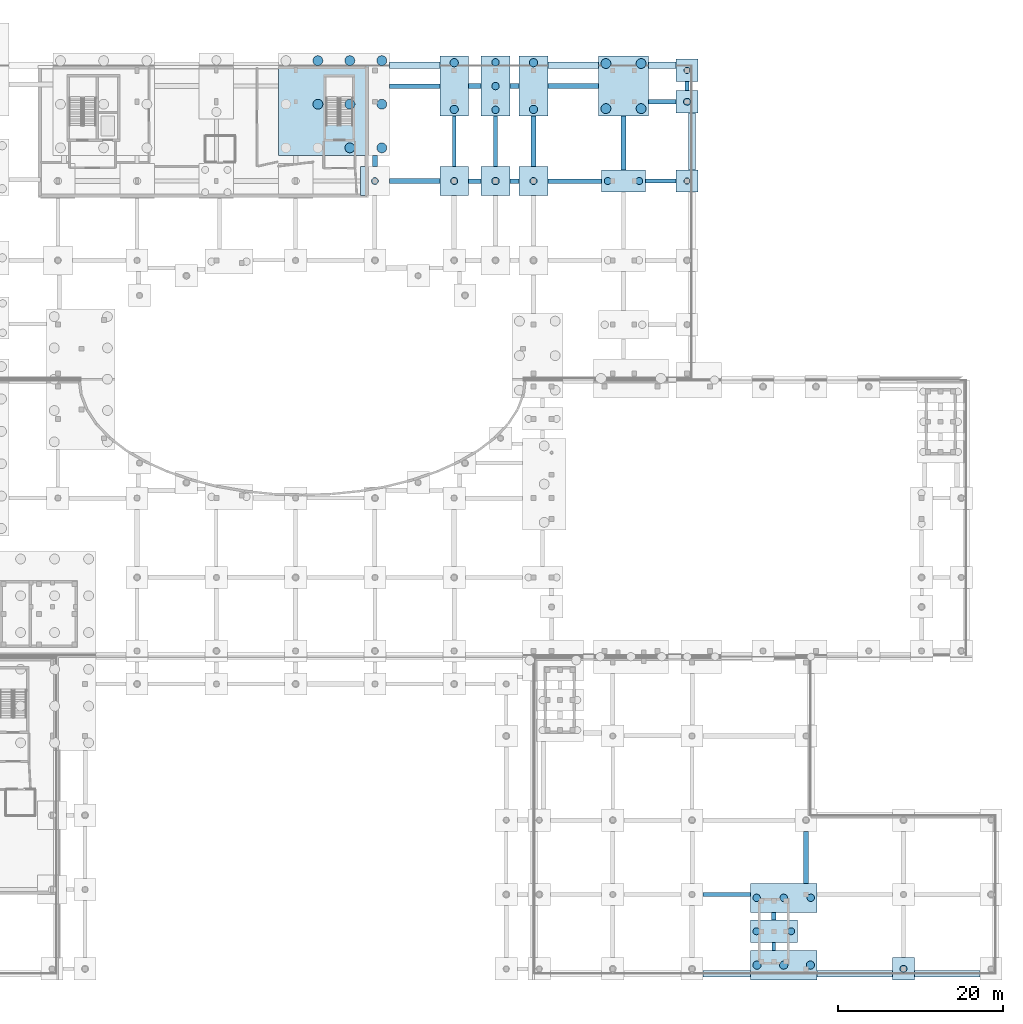
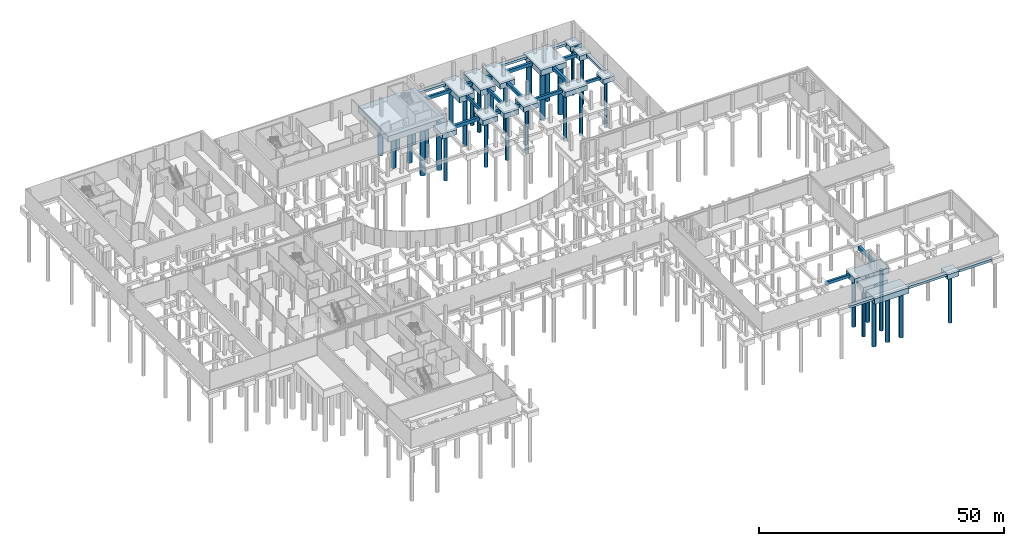
# One storey, part 9 of 40: 44 footings, 37 piles.
"""IFC4 building model written with IfcOpenShell, lengths in metres."""

from ifc_helpers import new_model, si_unit, direction, frame, origin, origin_2d, place, context, subcontext, project, spatial, polyline, circle, outline, extrude, material, material_profile, profile_set, type_object, element, save


model = new_model("IFC4")

# Units and contexts
model_context = context("Model", 3, precision=1e-05, world=origin(), true_north=direction((0.0, 1.0)))
body_context = subcontext(model_context, "Body", "Model", "MODEL_VIEW")
ifc_project = project(units=[si_unit("LENGTHUNIT", "METRE"), si_unit("AREAUNIT", "SQUARE_METRE"), si_unit("VOLUMEUNIT", "CUBIC_METRE"), si_unit("PLANEANGLEUNIT", "RADIAN"), si_unit("MASSUNIT", "GRAM", prefix="KILO")], contexts=[model_context])

# Site, building, storey
site_placement = place(None, origin())
site = spatial("IfcSite", under=ifc_project, at=site_placement, CompositionType="ELEMENT")
building_placement = place(site_placement, origin())
building = spatial("IfcBuilding", under=site, at=building_placement, Name="Mzevani Central Library", CompositionType="ELEMENT")
storey_placement = place(building_placement, frame((0.0, 0.0, -4.5)))
storey = spatial("IfcBuildingStorey", under=building, at=storey_placement, Name="B1", CompositionType="ELEMENT", Elevation=-4.5)

# Piles
ifc_material = material(Name="Concrete C40/50", Category="concrete")
ifc_material_profile_1 = material_profile(ifc_material, circle(Radius=0.5, at=origin_2d()), Name="PILE D1000")
ifc_profile_set_1 = profile_set([ifc_material_profile_1], Name="Concrete C40/50")
pile_type_1 = type_object("IfcPileType", Name="Bored Pile D1000", PredefinedType="BORED", material=ifc_profile_set_1)
for number, where, z_axis, x_axis, name in (
    (1, (102.39990234375, 108.669921875, -1.719970703125), (0.0, 0.0, -1.0), (1.0, 0.0, 0.0), "B1 Bored Pile P-04 (193)"),
    (2, (102.39990234375, 114.330078125, -1.719970703125), (0.0, 0.0, -1.0), (1.0, 0.0, 0.0), "B1 Bored Pile P-04 (194)"),
    (3, (112.0, 108.669921875, -1.719970703125), (0.0, 0.0, -1.0), (1.0, 0.0, 0.0), "B1 Bored Pile P-04 (202)"),
    (4, (112.0, 114.330078125, -1.719970703125), (0.0, 0.0, -1.0), (1.0, 0.0, 0.0), "B1 Bored Pile P-04 (203)"),
    (5, (139.070068359375, 5.050048828125, -1.719970703125), (0.0, 0.0, -1.0), (1.0, 0.0, 0.0), "B1 Bored Pile P-04 (325)"),
    (6, (142.300048828125, 5.050048828125, -1.719970703125), (0.0, 0.0, -1.0), (1.0, 0.0, 0.0), "B1 Bored Pile P-04 (326)"),
    (7, (145.530029296875, 5.050048828125, -1.719970703125), (0.0, 0.0, -1.0), (1.0, 0.0, 0.0), "B1 Bored Pile P-04 (327)"),
):
    element("IfcPile", number, at=place(storey_placement, frame(where, z_axis=z_axis, x_axis=x_axis)), inside=storey, type_object=pile_type_1, Name=name, PredefinedType="BORED", context=body_context, shape_type="SweptSolid", body=[
        extrude(circle(Radius=0.5, at=origin_2d()), origin(), (0.0, 0.0, 1.0), 11.780029296875),
    ])
ifc_material_profile_2 = material_profile(ifc_material, circle(Radius=0.60009765625, at=origin_2d()), Name="PILE D1200")
ifc_profile_set_2 = profile_set([ifc_material_profile_2], Name="Concrete C40/50")
pile_type_2 = type_object("IfcPileType", Name="Bored Pile D1200", PredefinedType="BORED", material=ifc_profile_set_2)
for number, where, z_axis, x_axis, name in (
    (8, (85.889892578125, 109.300048828125, -1.820068359375), (0.0, 0.0, -1.0), (1.0, 0.0, 0.0), "B1 Bored Pile P-06 (181)"),
    (9, (85.889892578125, 114.580078125, -1.820068359375), (0.0, 0.0, -1.0), (1.0, 0.0, 0.0), "B1 Bored Pile P-06 (182)"),
    (10, (89.760009765625, 104.02001953125, -1.820068359375), (0.0, 0.0, -1.0), (1.0, 0.0, 0.0), "B1 Bored Pile P-06 (183)"),
    (11, (89.760009765625, 109.300048828125, -1.820068359375), (0.0, 0.0, -1.0), (1.0, 0.0, 0.0), "B1 Bored Pile P-06 (184)"),
    (12, (89.760009765625, 114.580078125, -1.820068359375), (0.0, 0.0, -1.0), (1.0, 0.0, 0.0), "B1 Bored Pile P-06 (185)"),
    (13, (93.6298828125, 104.02001953125, -1.820068359375), (0.0, 0.0, -1.0), (1.0, 0.0, 0.0), "B1 Bored Pile P-06 (186)"),
    (14, (93.6298828125, 109.300048828125, -1.820068359375), (0.0, 0.0, -1.0), (1.0, 0.0, 0.0), "B1 Bored Pile P-06 (187)"),
    (15, (93.6298828125, 114.580078125, -1.820068359375), (0.0, 0.0, -1.0), (1.0, 0.0, 0.0), "B1 Bored Pile P-06 (188)"),
):
    element("IfcPile", number, at=place(storey_placement, frame(where, z_axis=z_axis, x_axis=x_axis)), inside=storey, type_object=pile_type_2, Name=name, PredefinedType="BORED", context=body_context, shape_type="SweptSolid", body=[
        extrude(circle(Radius=0.60009765625, at=origin_2d()), origin(), (0.0, 0.0, 1.0), 11.679931640625),
    ])
for number, where, z_axis, x_axis, name in (
    (16, (120.77001953125, 108.77001953125, -1.719970703125), (0.0, 0.0, -1.0), (1.0, 0.0, 0.0), "B1 Bored Pile P-06 (210)"),
    (17, (120.77001953125, 114.22998046875, -1.719970703125), (0.0, 0.0, -1.0), (1.0, 0.0, 0.0), "B1 Bored Pile P-06 (211)"),
    (18, (125.030029296875, 108.77001953125, -1.719970703125), (0.0, 0.0, -1.0), (1.0, 0.0, 0.0), "B1 Bored Pile P-06 (212)"),
    (19, (125.030029296875, 114.22998046875, -1.719970703125), (0.0, 0.0, -1.0), (1.0, 0.0, 0.0), "B1 Bored Pile P-06 (213)"),
):
    element("IfcPile", number, at=place(storey_placement, frame(where, z_axis=z_axis, x_axis=x_axis)), inside=storey, type_object=pile_type_2, Name=name, PredefinedType="BORED", context=body_context, shape_type="SweptSolid", body=[
        extrude(circle(Radius=0.60009765625, at=origin_2d()), origin(), (0.0, 0.0, 1.0), 11.780029296875),
    ])
ifc_material_profile_3 = material_profile(ifc_material, circle(Radius=0.375, at=origin_2d()), Name="PILE D750")
ifc_profile_set_3 = profile_set([ifc_material_profile_3], Name="Concrete C40/50")
pile_type_3 = type_object("IfcPileType", Name="Bored Pile D750", PredefinedType="BORED", material=ifc_profile_set_3)
for number, where, z_axis, x_axis, name in (
    (20, (130.60009765625, 100.0, -1.52001953125), (0.0, 0.0, -1.0), (1.0, 0.0, 0.0), "B1 Bored Pile P-01 (216)"),
    (21, (130.60009765625, 113.39990234375, -1.52001953125), (0.0, 0.0, -1.0), (1.0, 0.0, 0.0), "B1 Bored Pile P-01 (218)"),
):
    element("IfcPile", number, at=place(storey_placement, frame(where, z_axis=z_axis, x_axis=x_axis)), inside=storey, type_object=pile_type_3, Name=name, PredefinedType="BORED", context=body_context, shape_type="SweptSolid", body=[
        extrude(circle(Radius=0.375, at=origin_2d()), origin(), (0.0, 0.0, 1.0), 11.97998046875),
    ])
ifc_material_profile_4 = material_profile(ifc_material, circle(Radius=0.425048828125, at=origin_2d()), Name="PILE D850")
ifc_profile_set_4 = profile_set([ifc_material_profile_4], Name="Concrete C40/50")
pile_type_4 = type_object("IfcPileType", Name="Bored Pile D850", PredefinedType="BORED", material=ifc_profile_set_4)
for number, where, z_axis, x_axis, name in (
    (22, (92.800048828125, 100.0, -1.6201171875), (0.0, 0.0, -1.0), (1.0, 0.0, 0.0), "B1 Bored Pile P-02 (190)"),
    (23, (102.39990234375, 100.0, -1.6201171875), (0.0, 0.0, -1.0), (1.0, 0.0, 0.0), "B1 Bored Pile P-02 (192)"),
    (24, (112.0, 100.0, -1.6201171875), (0.0, 0.0, -1.0), (1.0, 0.0, 0.0), "B1 Bored Pile P-02 (201)"),
    (25, (120.9951171875, 100.0, -1.6201171875), (0.0, 0.0, -1.0), (1.0, 0.0, 0.0), "B1 Bored Pile P-02 (208)"),
    (26, (124.804931640625, 100.0, -1.6201171875), (0.0, 0.0, -1.0), (1.0, 0.0, 0.0), "B1 Bored Pile P-02 (209)"),
):
    element("IfcPile", number, at=place(storey_placement, frame(where, z_axis=z_axis, x_axis=x_axis)), inside=storey, type_object=pile_type_4, Name=name, PredefinedType="BORED", context=body_context, shape_type="SweptSolid", body=[
        extrude(circle(Radius=0.425048828125, at=origin_2d()), origin(), (0.0, 0.0, 1.0), 11.8798828125),
    ])
for number, where, z_axis, x_axis, name in (
    (27, (130.60009765625, 109.60009765625, -1.52001953125), (0.0, 0.0, -1.0), (1.0, 0.0, 0.0), "B1 Bored Pile P-02 (217)"),
    (28, (156.800048828125, 4.60009765625, -1.52001953125), (0.0, 0.0, -1.0), (1.0, 0.0, 0.0), "B1 Bored Pile P-02 (333)"),
):
    element("IfcPile", number, at=place(storey_placement, frame(where, z_axis=z_axis, x_axis=x_axis)), inside=storey, type_object=pile_type_4, Name=name, PredefinedType="BORED", context=body_context, shape_type="SweptSolid", body=[
        extrude(circle(Radius=0.425048828125, at=origin_2d()), origin(), (0.0, 0.0, 1.0), 11.97998046875),
    ])
for number, where, z_axis, x_axis, name in (
    (29, (138.9951171875, 9.14990234375, -1.6201171875), (0.0, 0.0, -1.0), (1.0, 0.0, 0.0), "B1 Bored Pile P-02 (371)"),
    (30, (143.205078125, 9.14990234375, -1.6201171875), (0.0, 0.0, -1.0), (1.0, 0.0, 0.0), "B1 Bored Pile P-02 (372)"),
):
    element("IfcPile", number, at=place(storey_placement, frame(where, z_axis=z_axis, x_axis=x_axis)), inside=storey, type_object=pile_type_4, Name=name, PredefinedType="BORED", context=body_context, shape_type="SweptSolid", body=[
        extrude(circle(Radius=0.425048828125, at=origin_2d()), origin(), (0.0, 0.0, 1.0), 11.8798828125),
    ])
ifc_material_profile_5 = material_profile(ifc_material, circle(Radius=0.449951171875, at=origin_2d()), Name="PILE D900")
ifc_profile_set_5 = profile_set([ifc_material_profile_5], Name="Concrete C40/50")
pile_type_5 = type_object("IfcPileType", Name="Bored Pile D900", PredefinedType="BORED", material=ifc_profile_set_5)
pile_placement = place(storey_placement, frame((107.39990234375, 100.0, -1.6201171875), z_axis=(0.0, 0.0, -1.0), x_axis=(1.0, 0.0, 0.0)))
element("IfcPile", 31, at=pile_placement, inside=storey, type_object=pile_type_5, Name="B1 Bored Pile P-03 (196)", PredefinedType="BORED", context=body_context, shape_type="SweptSolid", body=[
    extrude(circle(Radius=0.449951171875, at=origin_2d()), origin(), (0.0, 0.0, 1.0), 11.8798828125),
])
for number, where, z_axis, x_axis, name in (
    (32, (107.39990234375, 108.6201171875, -1.719970703125), (0.0, 0.0, -1.0), (1.0, 0.0, 0.0), "B1 Bored Pile P-03 (197)"),
    (33, (107.39990234375, 111.5, -1.719970703125), (0.0, 0.0, -1.0), (1.0, 0.0, 0.0), "B1 Bored Pile P-03 (198)"),
    (34, (107.39990234375, 114.3798828125, -1.719970703125), (0.0, 0.0, -1.0), (1.0, 0.0, 0.0), "B1 Bored Pile P-03 (199)"),
    (35, (139.02001953125, 13.199951171875, -1.719970703125), (0.0, 0.0, -1.0), (1.0, 0.0, 0.0), "B1 Bored Pile P-03 (328)"),
    (36, (142.300048828125, 13.199951171875, -1.719970703125), (0.0, 0.0, -1.0), (1.0, 0.0, 0.0), "B1 Bored Pile P-03 (329)"),
    (37, (145.580078125, 13.199951171875, -1.719970703125), (0.0, 0.0, -1.0), (1.0, 0.0, 0.0), "B1 Bored Pile P-03 (330)"),
):
    element("IfcPile", number, at=place(storey_placement, frame(where, z_axis=z_axis, x_axis=x_axis)), inside=storey, type_object=pile_type_5, Name=name, PredefinedType="BORED", context=body_context, shape_type="SweptSolid", body=[
        extrude(circle(Radius=0.449951171875, at=origin_2d()), origin(), (0.0, 0.0, 1.0), 11.780029296875),
    ])

# Footings
footing_type_1 = type_object("IfcFootingType", Name="Ground Tie Beam RC 450x700", PredefinedType="FOOTING_BEAM", material=ifc_material)
footing_1_placement = place(storey_placement, frame((0.0, 0.0, -1.1201171875)))
element("IfcFooting", 38, at=footing_1_placement, inside=storey, type_object=footing_type_1, Name="MAT Ground Tie Beam GB-01 (105)", PredefinedType="FOOTING_BEAM", context=body_context, shape_type="SweptSolid", body=[
    extrude(outline(polyline([(125.550048828125, 99.77490234375), (129.25, 99.77490234375), (129.25, 100.22509765625), (125.550048828125, 100.22509765625), (125.550048828125, 99.77490234375)])), origin(), (0.0, 0.0, 1.0), 0.7001953125),
])
footing_2_placement = place(storey_placement, frame((0.0, 0.0, -1.1201171875)))
element("IfcFooting", 39, at=footing_2_placement, inside=storey, type_object=footing_type_1, Name="MAT Ground Tie Beam GB-01 (121)", PredefinedType="FOOTING_BEAM", context=body_context, shape_type="SweptSolid", body=[
    extrude(outline(polyline([(140.875, 6.85009765625), (141.324951171875, 6.85009765625), (141.324951171875, 7.800048828125), (140.875, 7.800048828125), (140.875, 6.85009765625)])), origin(), (0.0, 0.0, 1.0), 0.7001953125),
])
footing_3_placement = place(storey_placement, frame((0.0, 0.0, -1.1201171875)))
element("IfcFooting", 40, at=footing_3_placement, inside=storey, type_object=footing_type_1, Name="MAT Ground Tie Beam GB-01 (217)", PredefinedType="FOOTING_BEAM", context=body_context, shape_type="SweptSolid", body=[
    extrude(outline(polyline([(102.175048828125, 101.75), (102.625, 101.75), (102.625, 107.85009765625), (102.175048828125, 107.85009765625), (102.175048828125, 101.75)])), origin(), (0.0, 0.0, 1.0), 0.7001953125),
])
footing_4_placement = place(storey_placement, frame((0.0, 0.0, -1.1201171875)))
element("IfcFooting", 41, at=footing_4_placement, inside=storey, type_object=footing_type_1, Name="MAT Ground Tie Beam GB-01 (221)", PredefinedType="FOOTING_BEAM", context=body_context, shape_type="SweptSolid", body=[
    extrude(outline(polyline([(130.375, 110.949951171875), (130.824951171875, 110.949951171875), (130.824951171875, 112.050048828125), (130.375, 112.050048828125), (130.375, 110.949951171875)])), origin(), (0.0, 0.0, 1.0), 0.7001953125),
])
footing_type_2 = type_object("IfcFootingType", Name="Ground Tie Beam RC 500x750", PredefinedType="FOOTING_BEAM", material=ifc_material)
footing_5_placement = place(storey_placement, frame((0.0, 0.0, -1.169921875)))
element("IfcFooting", 42, at=footing_5_placement, inside=storey, type_object=footing_type_2, Name="MAT Ground Tie Beam GB-02 (106)", PredefinedType="FOOTING_BEAM", context=body_context, shape_type="SweptSolid", body=[
    extrude(outline(polyline([(132.550048828125, 13.35009765625), (138.25, 13.35009765625), (138.25, 13.85009765625), (132.550048828125, 13.85009765625), (132.550048828125, 13.35009765625)])), origin(), (0.0, 0.0, 1.0), 0.75),
])
footing_6_placement = place(storey_placement, frame((0.0, 0.0, -1.169921875)))
element("IfcFooting", 43, at=footing_6_placement, inside=storey, type_object=footing_type_2, Name="MAT Ground Tie Beam GB-02 (218)", PredefinedType="FOOTING_BEAM", context=body_context, shape_type="SweptSolid", body=[
    extrude(outline(polyline([(107.14990234375, 101.75), (107.64990234375, 101.75), (107.64990234375, 107.85009765625), (107.14990234375, 107.85009765625), (107.14990234375, 101.75)])), origin(), (0.0, 0.0, 1.0), 0.75),
])
footing_type_3 = type_object("IfcFootingType", Name="Ground Tie Beam RC 550x800", PredefinedType="FOOTING_BEAM", material=ifc_material)
footing_7_placement = place(storey_placement, frame((0.0, 0.0, -1.219970703125)))
element("IfcFooting", 44, at=footing_7_placement, inside=storey, type_object=footing_type_3, Name="MAT Ground Tie Beam GB-03 (63)", PredefinedType="FOOTING_BEAM", context=body_context, shape_type="SweptSolid", body=[
    extrude(outline(polyline([(94.550048828125, 111.22509765625), (100.64990234375, 111.22509765625), (100.64990234375, 111.77490234375), (94.550048828125, 111.77490234375), (94.550048828125, 111.22509765625)])), origin(), (0.0, 0.0, 1.0), 0.800048828125),
])
footing_8_placement = place(storey_placement, frame((0.0, 0.0, -1.219970703125)))
element("IfcFooting", 45, at=footing_8_placement, inside=storey, type_object=footing_type_3, Name="MAT Ground Tie Beam GB-03 (75)", PredefinedType="FOOTING_BEAM", context=body_context, shape_type="SweptSolid", body=[
    extrude(outline(polyline([(104.14990234375, 99.72509765625), (105.64990234375, 99.72509765625), (105.64990234375, 100.27490234375), (104.14990234375, 100.27490234375), (104.14990234375, 99.72509765625)])), origin(), (0.0, 0.0, 1.0), 0.800048828125),
])
footing_9_placement = place(storey_placement, frame((0.0, 0.0, -1.219970703125)))
element("IfcFooting", 46, at=footing_9_placement, inside=storey, type_object=footing_type_3, Name="MAT Ground Tie Beam GB-03 (83)", PredefinedType="FOOTING_BEAM", context=body_context, shape_type="SweptSolid", body=[
    extrude(outline(polyline([(109.14990234375, 99.72509765625), (110.25, 99.72509765625), (110.25, 100.27490234375), (109.14990234375, 100.27490234375), (109.14990234375, 99.72509765625)])), origin(), (0.0, 0.0, 1.0), 0.800048828125),
])
footing_10_placement = place(storey_placement, frame((0.0, 0.0, -1.219970703125)))
element("IfcFooting", 47, at=footing_10_placement, inside=storey, type_object=footing_type_3, Name="MAT Ground Tie Beam GB-03 (91)", PredefinedType="FOOTING_BEAM", context=body_context, shape_type="SweptSolid", body=[
    extrude(outline(polyline([(113.75, 99.72509765625), (120.25, 99.72509765625), (120.25, 100.27490234375), (113.75, 100.27490234375), (113.75, 99.72509765625)])), origin(), (0.0, 0.0, 1.0), 0.800048828125),
])
footing_11_placement = place(storey_placement, frame((0.0, 0.0, -1.219970703125)))
element("IfcFooting", 48, at=footing_11_placement, inside=storey, type_object=footing_type_3, Name="MAT Ground Tie Beam GB-03 (123)", PredefinedType="FOOTING_BEAM", context=body_context, shape_type="SweptSolid", body=[
    extrude(outline(polyline([(140.824951171875, 10.5), (141.375, 10.5), (141.375, 11.449951171875), (140.824951171875, 11.449951171875), (140.824951171875, 10.5)])), origin(), (0.0, 0.0, 1.0), 0.800048828125),
])
footing_12_placement = place(storey_placement, frame((0.0, 0.0, -1.219970703125)))
element("IfcFooting", 49, at=footing_12_placement, inside=storey, type_object=footing_type_3, Name="MAT Ground Tie Beam GB-03 (219)", PredefinedType="FOOTING_BEAM", context=body_context, shape_type="SweptSolid", body=[
    extrude(outline(polyline([(111.72509765625, 101.75), (112.27490234375, 101.75), (112.27490234375, 107.85009765625), (111.72509765625, 107.85009765625), (111.72509765625, 101.75)])), origin(), (0.0, 0.0, 1.0), 0.800048828125),
])
footing_type_4 = type_object("IfcFootingType", Name="Ground Tie Beam RC 600x850", PredefinedType="FOOTING_BEAM", material=ifc_material)
footing_13_placement = place(storey_placement, frame((0.0, 0.0, -1.27001953125)))
element("IfcFooting", 50, at=footing_13_placement, inside=storey, type_object=footing_type_4, Name="MAT Ground Tie Beam GB-04 (68)", PredefinedType="FOOTING_BEAM", context=body_context, shape_type="SweptSolid", body=[
    extrude(outline(polyline([(94.550048828125, 99.699951171875), (100.64990234375, 99.699951171875), (100.64990234375, 100.300048828125), (94.550048828125, 100.300048828125), (94.550048828125, 99.699951171875)])), origin(), (0.0, 0.0, 1.0), 0.85009765625),
])
footing_14_placement = place(storey_placement, frame((0.0, 0.0, -1.27001953125)))
element("IfcFooting", 51, at=footing_14_placement, inside=storey, type_object=footing_type_4, Name="MAT Ground Tie Beam GB-04 (76)", PredefinedType="FOOTING_BEAM", context=body_context, shape_type="SweptSolid", body=[
    extrude(outline(polyline([(104.14990234375, 111.199951171875), (105.64990234375, 111.199951171875), (105.64990234375, 111.800048828125), (104.14990234375, 111.800048828125), (104.14990234375, 111.199951171875)])), origin(), (0.0, 0.0, 1.0), 0.85009765625),
])
footing_15_placement = place(storey_placement, frame((0.0, 0.0, -1.27001953125)))
element("IfcFooting", 52, at=footing_15_placement, inside=storey, type_object=footing_type_4, Name="MAT Ground Tie Beam GB-04 (84)", PredefinedType="FOOTING_BEAM", context=body_context, shape_type="SweptSolid", body=[
    extrude(outline(polyline([(109.14990234375, 111.199951171875), (110.25, 111.199951171875), (110.25, 111.800048828125), (109.14990234375, 111.800048828125), (109.14990234375, 111.199951171875)])), origin(), (0.0, 0.0, 1.0), 0.85009765625),
])
footing_16_placement = place(storey_placement, frame((0.0, 0.0, -1.27001953125)))
element("IfcFooting", 53, at=footing_16_placement, inside=storey, type_object=footing_type_4, Name="MAT Ground Tie Beam GB-04 (92)", PredefinedType="FOOTING_BEAM", context=body_context, shape_type="SweptSolid", body=[
    extrude(outline(polyline([(113.75, 111.199951171875), (119.85009765625, 111.199951171875), (119.85009765625, 111.800048828125), (113.75, 111.800048828125), (113.75, 111.199951171875)])), origin(), (0.0, 0.0, 1.0), 0.85009765625),
])
footing_17_placement = place(storey_placement, frame((0.0, 0.0, -1.27001953125)))
element("IfcFooting", 54, at=footing_17_placement, inside=storey, type_object=footing_type_4, Name="MAT Ground Tie Beam GB-04 (100)", PredefinedType="FOOTING_BEAM", context=body_context, shape_type="SweptSolid", body=[
    extrude(outline(polyline([(125.949951171875, 109.300048828125), (129.25, 109.300048828125), (129.25, 109.89990234375), (125.949951171875, 109.89990234375), (125.949951171875, 109.300048828125)])), origin(), (0.0, 0.0, 1.0), 0.85009765625),
])
footing_18_placement = place(storey_placement, frame((0.0, 0.0, -1.27001953125)))
element("IfcFooting", 55, at=footing_18_placement, inside=storey, type_object=footing_type_4, Name="MAT Ground Tie Beam GB-04 (124)", PredefinedType="FOOTING_BEAM", context=body_context, shape_type="SweptSolid", body=[
    extrude(outline(polyline([(144.699951171875, 14.949951171875), (145.300048828125, 14.949951171875), (145.300048828125, 21.25), (144.699951171875, 21.25), (144.699951171875, 14.949951171875)])), origin(), (0.0, 0.0, 1.0), 0.85009765625),
])
footing_19_placement = place(storey_placement, frame((0.0, 0.0, -1.27001953125)))
element("IfcFooting", 56, at=footing_19_placement, inside=storey, type_object=footing_type_4, Name="MAT Ground Tie Beam GB-04 (216)", PredefinedType="FOOTING_BEAM", context=body_context, shape_type="SweptSolid", body=[
    extrude(outline(polyline([(92.5, 101.75), (93.10009765625, 101.75), (93.10009765625, 103.10009765625), (92.5, 103.10009765625), (92.5, 101.75)])), origin(), (0.0, 0.0, 1.0), 0.85009765625),
])
footing_20_placement = place(storey_placement, frame((0.0, 0.0, -1.27001953125)))
element("IfcFooting", 57, at=footing_20_placement, inside=storey, type_object=footing_type_4, Name="MAT Ground Tie Beam GB-04 (220)", PredefinedType="FOOTING_BEAM", context=body_context, shape_type="SweptSolid", body=[
    extrude(outline(polyline([(122.60009765625, 101.35009765625), (123.199951171875, 101.35009765625), (123.199951171875, 107.85009765625), (122.60009765625, 107.85009765625), (122.60009765625, 101.35009765625)])), origin(), (0.0, 0.0, 1.0), 0.85009765625),
])
footing_type_5 = type_object("IfcFootingType", Name="Perimeter Strip Footing RC 800x600", PredefinedType="STRIP_FOOTING", material=ifc_material)
footing_21_placement = place(storey_placement, frame((0.0, 0.0, -1.02001953125)))
element("IfcFooting", 58, at=footing_21_placement, inside=storey, type_object=footing_type_5, Name="B1 Perimeter Strip Footing SF-01 (35)", PredefinedType="STRIP_FOOTING", context=body_context, shape_type="SweptSolid", body=[
    extrude(outline(polyline([(125.949951171875, 114.39990234375), (129.25, 114.39990234375), (129.25, 113.60009765625), (125.949951171875, 113.60009765625), (125.949951171875, 114.39990234375)])), origin(), (0.0, 0.0, 1.0), 0.60009765625),
])
footing_22_placement = place(storey_placement, frame((0.0, 0.0, -1.02001953125)))
element("IfcFooting", 59, at=footing_22_placement, inside=storey, type_object=footing_type_5, Name="B1 Perimeter Strip Footing SF-01 (36)", PredefinedType="STRIP_FOOTING", context=body_context, shape_type="SweptSolid", body=[
    extrude(outline(polyline([(113.75, 114.39990234375), (119.85009765625, 114.39990234375), (119.85009765625, 113.60009765625), (113.75, 113.60009765625), (113.75, 114.39990234375)])), origin(), (0.0, 0.0, 1.0), 0.60009765625),
])
footing_23_placement = place(storey_placement, frame((0.0, 0.0, -1.02001953125)))
element("IfcFooting", 60, at=footing_23_placement, inside=storey, type_object=footing_type_5, Name="B1 Perimeter Strip Footing SF-01 (37)", PredefinedType="STRIP_FOOTING", context=body_context, shape_type="SweptSolid", body=[
    extrude(outline(polyline([(94.550048828125, 114.39990234375), (100.64990234375, 114.39990234375), (100.64990234375, 113.60009765625), (94.550048828125, 113.60009765625), (94.550048828125, 114.39990234375)])), origin(), (0.0, 0.0, 1.0), 0.60009765625),
])
footing_24_placement = place(storey_placement, frame((0.0, 0.0, -1.02001953125)))
element("IfcFooting", 61, at=footing_24_placement, inside=storey, type_object=footing_type_5, Name="B1 Perimeter Strip Footing SF-01 (44)", PredefinedType="STRIP_FOOTING", context=body_context, shape_type="SweptSolid", body=[
    extrude(outline(polyline([(131.60009765625, 108.25), (131.60009765625, 101.35009765625), (130.800048828125, 101.35009765625), (130.800048828125, 108.25), (131.60009765625, 108.25)])), origin(), (0.0, 0.0, 1.0), 0.60009765625),
])
footing_25_placement = place(storey_placement, frame((0.0, 0.0, -1.02001953125)))
element("IfcFooting", 62, at=footing_25_placement, inside=storey, type_object=footing_type_5, Name="B1 Perimeter Strip Footing SF-01 (63)", PredefinedType="STRIP_FOOTING", context=body_context, shape_type="SweptSolid", body=[
    extrude(outline(polyline([(138.25, 3.60009765625), (132.550048828125, 3.60009765625), (132.550048828125, 4.39990234375), (138.25, 4.39990234375), (138.25, 3.60009765625)])), origin(), (0.0, 0.0, 1.0), 0.60009765625),
])
footing_26_placement = place(storey_placement, frame((0.0, 0.0, -1.02001953125)))
element("IfcFooting", 63, at=footing_26_placement, inside=storey, type_object=footing_type_5, Name="B1 Perimeter Strip Footing SF-01 (64)", PredefinedType="STRIP_FOOTING", context=body_context, shape_type="SweptSolid", body=[
    extrude(outline(polyline([(155.449951171875, 3.60009765625), (146.35009765625, 3.60009765625), (146.35009765625, 4.39990234375), (155.449951171875, 4.39990234375), (155.449951171875, 3.60009765625)])), origin(), (0.0, 0.0, 1.0), 0.60009765625),
])
footing_27_placement = place(storey_placement, frame((0.0, 0.0, -1.02001953125)))
element("IfcFooting", 64, at=footing_27_placement, inside=storey, type_object=footing_type_5, Name="B1 Perimeter Strip Footing SF-01 (65)", PredefinedType="STRIP_FOOTING", context=body_context, shape_type="SweptSolid", body=[
    extrude(outline(polyline([(166.050048828125, 3.60009765625), (158.14990234375, 3.60009765625), (158.14990234375, 4.39990234375), (166.050048828125, 4.39990234375), (166.050048828125, 3.60009765625)])), origin(), (0.0, 0.0, 1.0), 0.60009765625),
])
footing_type_6 = type_object("IfcFootingType", Name="Pile Cap RC 13450x12400x1500", PredefinedType="PILE_CAP", material=ifc_material)
footing_28_placement = place(storey_placement, frame((0.0, 0.0, -1.919921875)))
element("IfcFooting", 65, at=footing_28_placement, inside=storey, type_object=footing_type_6, Name="B1 Pile Cap PC-29 (82)", PredefinedType="PILE_CAP", context=body_context, shape_type="SweptSolid", body=[
    extrude(outline(polyline([(81.10009765625, 103.10009765625), (94.550048828125, 103.10009765625), (94.550048828125, 115.5), (81.10009765625, 115.5), (81.10009765625, 103.10009765625)])), origin(), (0.0, 0.0, 1.0), 1.5),
])
footing_type_7 = type_object("IfcFootingType", Name="Pile Cap RC 2700x2700x1200", PredefinedType="PILE_CAP", material=ifc_material)
footing_29_placement = place(storey_placement, frame((0.0, 0.0, -1.6201171875)))
element("IfcFooting", 66, at=footing_29_placement, inside=storey, type_object=footing_type_7, Name="B1 Pile Cap PC-02 (100)", PredefinedType="PILE_CAP", context=body_context, shape_type="SweptSolid", body=[
    extrude(outline(polyline([(129.25, 98.64990234375), (131.949951171875, 98.64990234375), (131.949951171875, 101.35009765625), (129.25, 101.35009765625), (129.25, 98.64990234375)])), origin(), (0.0, 0.0, 1.0), 1.2001953125),
])
footing_30_placement = place(storey_placement, frame((0.0, 0.0, -1.6201171875)))
element("IfcFooting", 67, at=footing_30_placement, inside=storey, type_object=footing_type_7, Name="B1 Pile Cap PC-02 (101)", PredefinedType="PILE_CAP", context=body_context, shape_type="SweptSolid", body=[
    extrude(outline(polyline([(129.25, 108.25), (131.949951171875, 108.25), (131.949951171875, 110.949951171875), (129.25, 110.949951171875), (129.25, 108.25)])), origin(), (0.0, 0.0, 1.0), 1.2001953125),
])
footing_31_placement = place(storey_placement, frame((0.0, 0.0, -1.6201171875)))
element("IfcFooting", 68, at=footing_31_placement, inside=storey, type_object=footing_type_7, Name="B1 Pile Cap PC-02 (102)", PredefinedType="PILE_CAP", context=body_context, shape_type="SweptSolid", body=[
    extrude(outline(polyline([(129.25, 112.050048828125), (131.949951171875, 112.050048828125), (131.949951171875, 114.75), (129.25, 114.75), (129.25, 112.050048828125)])), origin(), (0.0, 0.0, 1.0), 1.2001953125),
])
footing_32_placement = place(storey_placement, frame((0.0, 0.0, -1.6201171875)))
element("IfcFooting", 69, at=footing_32_placement, inside=storey, type_object=footing_type_7, Name="B1 Pile Cap PC-02 (145)", PredefinedType="PILE_CAP", context=body_context, shape_type="SweptSolid", body=[
    extrude(outline(polyline([(155.449951171875, 3.25), (158.14990234375, 3.25), (158.14990234375, 5.949951171875), (155.449951171875, 5.949951171875), (155.449951171875, 3.25)])), origin(), (0.0, 0.0, 1.0), 1.2001953125),
])
footing_type_8 = type_object("IfcFootingType", Name="Pile Cap RC 3500x3500x1300", PredefinedType="PILE_CAP", material=ifc_material)
footing_33_placement = place(storey_placement, frame((0.0, 0.0, -1.719970703125)))
element("IfcFooting", 70, at=footing_33_placement, inside=storey, type_object=footing_type_8, Name="B1 Pile Cap PC-26 (84)", PredefinedType="PILE_CAP", context=body_context, shape_type="SweptSolid", body=[
    extrude(outline(polyline([(91.050048828125, 98.25), (94.550048828125, 98.25), (94.550048828125, 101.75), (91.050048828125, 101.75), (91.050048828125, 98.25)])), origin(), (0.0, 0.0, 1.0), 1.300048828125),
])
footing_34_placement = place(storey_placement, frame((0.0, 0.0, -1.719970703125)))
element("IfcFooting", 71, at=footing_34_placement, inside=storey, type_object=footing_type_8, Name="B1 Pile Cap PC-26 (86)", PredefinedType="PILE_CAP", context=body_context, shape_type="SweptSolid", body=[
    extrude(outline(polyline([(100.64990234375, 98.25), (104.14990234375, 98.25), (104.14990234375, 101.75), (100.64990234375, 101.75), (100.64990234375, 98.25)])), origin(), (0.0, 0.0, 1.0), 1.300048828125),
])
footing_35_placement = place(storey_placement, frame((0.0, 0.0, -1.719970703125)))
element("IfcFooting", 72, at=footing_35_placement, inside=storey, type_object=footing_type_8, Name="B1 Pile Cap PC-26 (89)", PredefinedType="PILE_CAP", context=body_context, shape_type="SweptSolid", body=[
    extrude(outline(polyline([(105.64990234375, 98.25), (109.14990234375, 98.25), (109.14990234375, 101.75), (105.64990234375, 101.75), (105.64990234375, 98.25)])), origin(), (0.0, 0.0, 1.0), 1.300048828125),
])
footing_36_placement = place(storey_placement, frame((0.0, 0.0, -1.719970703125)))
element("IfcFooting", 73, at=footing_36_placement, inside=storey, type_object=footing_type_8, Name="B1 Pile Cap PC-26 (92)", PredefinedType="PILE_CAP", context=body_context, shape_type="SweptSolid", body=[
    extrude(outline(polyline([(110.25, 98.25), (113.75, 98.25), (113.75, 101.75), (110.25, 101.75), (110.25, 98.25)])), origin(), (0.0, 0.0, 1.0), 1.300048828125),
])
footing_type_9 = type_object("IfcFootingType", Name="Pile Cap RC 5300x2700x1300", PredefinedType="PILE_CAP", material=ifc_material)
footing_37_placement = place(storey_placement, frame((0.0, 0.0, -1.719970703125)))
element("IfcFooting", 74, at=footing_37_placement, inside=storey, type_object=footing_type_9, Name="B1 Pile Cap PC-32 (96)", PredefinedType="PILE_CAP", context=body_context, shape_type="SweptSolid", body=[
    extrude(outline(polyline([(120.25, 98.64990234375), (125.550048828125, 98.64990234375), (125.550048828125, 101.35009765625), (120.25, 101.35009765625), (120.25, 98.64990234375)])), origin(), (0.0, 0.0, 1.0), 1.300048828125),
])
footing_type_10 = type_object("IfcFootingType", Name="Pile Cap RC 5700x2700x1300", PredefinedType="PILE_CAP", material=ifc_material)
footing_38_placement = place(storey_placement, frame((0.0, 0.0, -1.719970703125)))
element("IfcFooting", 75, at=footing_38_placement, inside=storey, type_object=footing_type_10, Name="B1 Pile Cap PC-40 (170)", PredefinedType="PILE_CAP", context=body_context, shape_type="SweptSolid", body=[
    extrude(outline(polyline([(138.25, 7.800048828125), (143.949951171875, 7.800048828125), (143.949951171875, 10.5), (138.25, 10.5), (138.25, 7.800048828125)])), origin(), (0.0, 0.0, 1.0), 1.300048828125),
])
footing_type_11 = type_object("IfcFootingType", Name="Pile Cap RC 7300x3500x1400", PredefinedType="PILE_CAP", material=ifc_material)
footing_39_placement = place(storey_placement, frame((0.0, 0.0, -1.820068359375)))
element("IfcFooting", 76, at=footing_39_placement, inside=storey, type_object=footing_type_11, Name="B1 Pile Cap PC-30 (87)", PredefinedType="PILE_CAP", context=body_context, shape_type="SweptSolid", body=[
    extrude(outline(polyline([(100.64990234375, 107.85009765625), (104.14990234375, 107.85009765625), (104.14990234375, 115.14990234375), (100.64990234375, 115.14990234375), (100.64990234375, 107.85009765625)])), origin(), (0.0, 0.0, 1.0), 1.400146484375),
])
footing_40_placement = place(storey_placement, frame((0.0, 0.0, -1.820068359375)))
element("IfcFooting", 77, at=footing_40_placement, inside=storey, type_object=footing_type_11, Name="B1 Pile Cap PC-30 (90)", PredefinedType="PILE_CAP", context=body_context, shape_type="SweptSolid", body=[
    extrude(outline(polyline([(105.64990234375, 107.85009765625), (109.14990234375, 107.85009765625), (109.14990234375, 115.14990234375), (105.64990234375, 115.14990234375), (105.64990234375, 107.85009765625)])), origin(), (0.0, 0.0, 1.0), 1.400146484375),
])
footing_41_placement = place(storey_placement, frame((0.0, 0.0, -1.820068359375)))
element("IfcFooting", 78, at=footing_41_placement, inside=storey, type_object=footing_type_11, Name="B1 Pile Cap PC-30 (93)", PredefinedType="PILE_CAP", context=body_context, shape_type="SweptSolid", body=[
    extrude(outline(polyline([(110.25, 107.85009765625), (113.75, 107.85009765625), (113.75, 115.14990234375), (110.25, 115.14990234375), (110.25, 107.85009765625)])), origin(), (0.0, 0.0, 1.0), 1.400146484375),
])
footing_type_12 = type_object("IfcFootingType", Name="Pile Cap RC 7300x6100x1400", PredefinedType="PILE_CAP", material=ifc_material)
footing_42_placement = place(storey_placement, frame((0.0, 0.0, -1.820068359375)))
element("IfcFooting", 79, at=footing_42_placement, inside=storey, type_object=footing_type_12, Name="B1 Pile Cap PC-33 (97)", PredefinedType="PILE_CAP", context=body_context, shape_type="SweptSolid", body=[
    extrude(outline(polyline([(119.85009765625, 107.85009765625), (125.949951171875, 107.85009765625), (125.949951171875, 115.14990234375), (119.85009765625, 115.14990234375), (119.85009765625, 107.85009765625)])), origin(), (0.0, 0.0, 1.0), 1.400146484375),
])
footing_type_13 = type_object("IfcFootingType", Name="Pile Cap RC 8100x3500x1400", PredefinedType="PILE_CAP", material=ifc_material)
footing_43_placement = place(storey_placement, frame((0.0, 0.0, -1.820068359375)))
element("IfcFooting", 80, at=footing_43_placement, inside=storey, type_object=footing_type_13, Name="B1 Pile Cap PC-39 (142)", PredefinedType="PILE_CAP", context=body_context, shape_type="SweptSolid", body=[
    extrude(outline(polyline([(138.25, 11.449951171875), (146.35009765625, 11.449951171875), (146.35009765625, 14.949951171875), (138.25, 14.949951171875), (138.25, 11.449951171875)])), origin(), (0.0, 0.0, 1.0), 1.400146484375),
])
footing_type_14 = type_object("IfcFootingType", Name="Pile Cap RC 8100x3600x1400", PredefinedType="PILE_CAP", material=ifc_material)
footing_44_placement = place(storey_placement, frame((0.0, 0.0, -1.820068359375)))
element("IfcFooting", 81, at=footing_44_placement, inside=storey, type_object=footing_type_14, Name="B1 Pile Cap PC-38 (141)", PredefinedType="PILE_CAP", context=body_context, shape_type="SweptSolid", body=[
    extrude(outline(polyline([(138.25, 3.25), (146.35009765625, 3.25), (146.35009765625, 6.85009765625), (138.25, 6.85009765625), (138.25, 3.25)])), origin(), (0.0, 0.0, 1.0), 1.400146484375),
])

save(model, "model.ifc")
